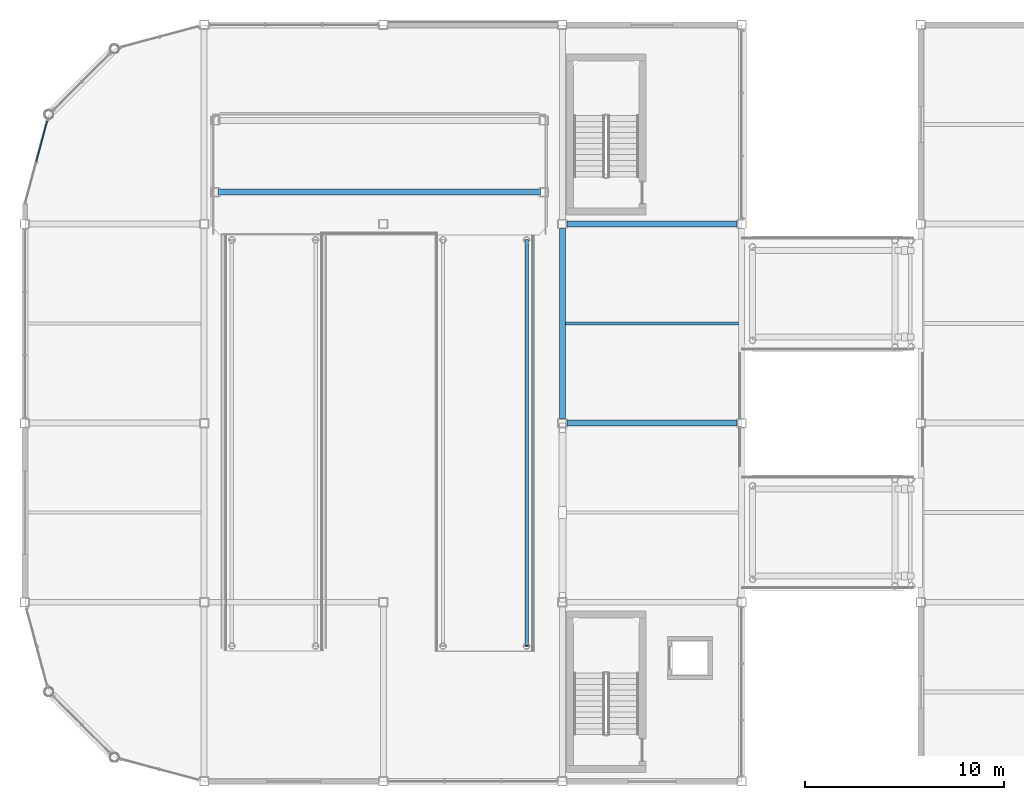
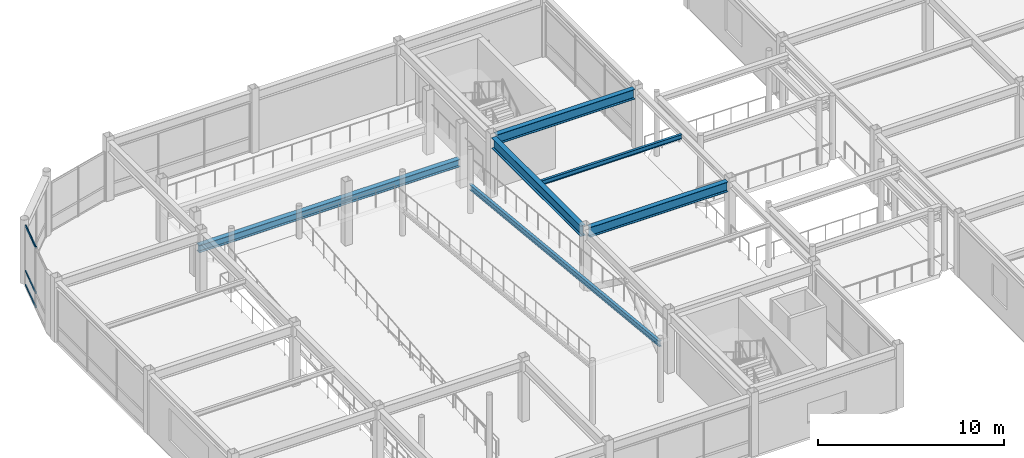
# One storey, part 35 of 105: 6 beams, 3 members, 1 element without a shape of its own.
"""IFC4 building model written with IfcOpenShell, lengths in metres."""

from ifc_helpers import new_model, si_unit, direction, frame, origin, origin_2d, place, context, subcontext, project, spatial, rectangle, i_section, extrude, material, material_profile, profile_set, type_object, element, aggregate, save


model = new_model("IFC4")

# Units and contexts
model_context = context("Model", 3, precision=1e-05, world=origin(), true_north=direction((0.0, 1.0)))
body_context = subcontext(model_context, "Body", "Model", "MODEL_VIEW")
ifc_project = project(units=[si_unit("LENGTHUNIT", "METRE"), si_unit("AREAUNIT", "SQUARE_METRE"), si_unit("VOLUMEUNIT", "CUBIC_METRE"), si_unit("PLANEANGLEUNIT", "RADIAN"), si_unit("MASSUNIT", "GRAM", prefix="KILO")], contexts=[model_context])

# Site, building, storey
site_placement = place(None, origin())
site = spatial("IfcSite", under=ifc_project, at=site_placement, CompositionType="ELEMENT")
building_placement = place(site_placement, origin())
building = spatial("IfcBuilding", under=site, at=building_placement, Name="Suzunagisa Mobility Hub", CompositionType="ELEMENT")
storey_placement = place(building_placement, frame((0.0, 0.0, 5.10009765625)))
storey = spatial("IfcBuildingStorey", under=building, at=storey_placement, Name="L01", CompositionType="ELEMENT", Elevation=5.10009765625)

# Curtain wall, members
ifc_material_1 = material(Name="Thermally Broken Anodized Aluminum and Low-E Glazing", Category="aluminium")
curtain_wall_type = type_object("IfcCurtainWallType", Name="Unitised Curtain Wall CW-48 4500x3900", PredefinedType="USERDEFINED", material=ifc_material_1)
curtain_wall_placement = place(storey_placement, origin())
curtain_wall = element("IfcCurtainWall", 1, at=curtain_wall_placement, inside=storey, type_object=curtain_wall_type, Name="L01 Unitised Curtain Wall CW-61", ObjectType="UNITISED CURTAIN WALL", PredefinedType="USERDEFINED")
ifc_material_2 = material(Name="Anodized Aluminum 6063-T6", Category="aluminium")
ifc_material_profile_1 = material_profile(ifc_material_2, rectangle(XDim=0.06005859375, YDim=0.1201171875, at=origin_2d()), Name="TRAN-60x120")
ifc_profile_set_1 = profile_set([ifc_material_profile_1], Name="Anodized Aluminum 6063-T6")
member_type = type_object("IfcMemberType", Name="Curtain Wall Framing CM-02 TRAN-60x120", PredefinedType="USERDEFINED", material=ifc_profile_set_1)
member_1_placement = place(storey_placement, frame((1.118408203125, 113.173583984375, 0.02978515625), z_axis=(-0.258832778908, -0.965922146222, 0.0), x_axis=(0.965922146222, -0.258832778908, 0.0)))
member_1 = element("IfcMember", 2, at=member_1_placement, type_object=member_type, Name="Curtain Wall Transom 61-T1.1", ObjectType="TRANSOM", PredefinedType="USERDEFINED", context=body_context, shape_type="SweptSolid", body=[
    extrude(rectangle(XDim=0.06005859375, YDim=0.1201171875, at=origin_2d()), origin(), (0.0, 0.0, 1.0), 2.103515625),
])
member_2_placement = place(storey_placement, frame((1.118408203125, 113.173583984375, 0.949951171875), z_axis=(-0.258832778908, -0.965922146222, 0.0), x_axis=(0.965922146222, -0.258832778908, 0.0)))
member_2 = element("IfcMember", 3, at=member_2_placement, type_object=member_type, Name="Curtain Wall Transom 61-T1.2", ObjectType="TRANSOM", PredefinedType="USERDEFINED", context=body_context, shape_type="SweptSolid", body=[
    extrude(rectangle(XDim=0.06005859375, YDim=0.1201171875, at=origin_2d()), origin(), (0.0, 0.0, 1.0), 2.103515625),
])
member_3_placement = place(storey_placement, frame((1.118408203125, 113.173583984375, 3.909912109375), z_axis=(-0.258832778908, -0.965922146222, 0.0), x_axis=(0.965922146222, -0.258832778908, 0.0)))
member_3 = element("IfcMember", 4, at=member_3_placement, type_object=member_type, Name="Curtain Wall Transom 61-T1.3", ObjectType="TRANSOM", PredefinedType="USERDEFINED", context=body_context, shape_type="SweptSolid", body=[
    extrude(rectangle(XDim=0.06005859375, YDim=0.1201171875, at=origin_2d()), origin(), (0.0, 0.0, 1.0), 2.103515625),
])
aggregate(curtain_wall, [member_1, member_2, member_3])

# Beams
ifc_material_3 = material(Name="Steel SN400B", Category="steel")
ifc_material_profile_2 = material_profile(ifc_material_3, i_section(OverallWidth=0.175048828125, OverallDepth=0.35009765625, WebThickness=0.007080078125, FlangeThickness=0.010986328125, FilletRadius=0.008056640625, at=origin_2d()), Name="H-350x175x7x11")
ifc_profile_set_2 = profile_set([ifc_material_profile_2], Name="Steel SN400B")
beam_type_1 = type_object("IfcBeamType", Name="Steel Beam BM-03 H-350x175x7x11", PredefinedType="JOIST", material=ifc_profile_set_2)
beam_1_placement = place(storey_placement, frame((25.199951171875, 107.199951171875, 1.69091796875), z_axis=(0.0, -0.994990866518, 0.099965871902), x_axis=(1.0, 0.0, 0.0)))
element("IfcBeam", 5, at=beam_1_placement, inside=storey, type_object=beam_type_1, Name="L01 Vehicle Ramp Stringer Beam VR-04-F2-2318", PredefinedType="JOIST", context=body_context, shape_type="SweptSolid", body=[
    extrude(i_section(OverallWidth=0.175048828125, OverallDepth=0.35009765625, WebThickness=0.007080078125, FlangeThickness=0.010986328125, FilletRadius=0.008056640625, at=origin_2d()), origin(), (0.0, 0.0, 1.0), 20.502685546875),
])
ifc_material_4 = material(Name="Steel SN490B", Category="steel")
ifc_material_profile_3 = material_profile(ifc_material_4, i_section(OverallWidth=0.300048828125, OverallDepth=0.488037109375, WebThickness=0.010986328125, FlangeThickness=0.01806640625, FilletRadius=0.012939453125, at=origin_2d()), Name="H-488x300x11x18")
ifc_profile_set_3 = profile_set([ifc_material_profile_3], Name="Steel SN490B")
beam_type_2 = type_object("IfcBeamType", Name="Steel Beam BM-06 H-488x300x11x18", PredefinedType="BEAM", material=ifc_profile_set_3)
beam_2_placement = place(storey_placement, frame((9.7099609375, 109.60009765625, 1.60595703125), z_axis=(1.0, 0.0, 0.0), x_axis=(0.0, 1.0, 0.0)))
element("IfcBeam", 6, at=beam_2_placement, inside=storey, type_object=beam_type_2, Name="L01 Ramp Turn Deck Support Girder 2319", PredefinedType="BEAM", context=body_context, shape_type="SweptSolid", body=[
    extrude(i_section(OverallWidth=0.300048828125, OverallDepth=0.488037109375, WebThickness=0.010986328125, FlangeThickness=0.01806640625, FilletRadius=0.012939453125, at=origin_2d()), origin(), (0.0, 0.0, 1.0), 16.179931640625),
])
ifc_material_profile_4 = material_profile(ifc_material_4, i_section(OverallWidth=0.300048828125, OverallDepth=0.64990234375, WebThickness=0.012939453125, FlangeThickness=0.02197265625, FilletRadius=0.01611328125, at=origin_2d()), Name="H-650x300x13x22")
ifc_profile_set_4 = profile_set([ifc_material_profile_4], Name="Steel SN490B")
beam_type_3 = type_object("IfcBeamType", Name="Steel Beam BM-10 H-650x300x13x22", PredefinedType="BEAM", material=ifc_profile_set_4)
for number, where, z_axis, x_axis, name in (
    (7, (27.220947265625, 98.0, 3.614990234375), (1.0, 0.0, 0.0), (0.0, 1.0, 0.0), "L01 Primary Girder GX-493"),
    (8, (27.220947265625, 108.0, 3.614990234375), (1.0, 0.0, 0.0), (0.0, 1.0, 0.0), "L01 Primary Girder GX-495"),
):
    element("IfcBeam", number, at=place(storey_placement, frame(where, z_axis=z_axis, x_axis=x_axis)), inside=storey, type_object=beam_type_3, Name=name, PredefinedType="BEAM", context=body_context, shape_type="SweptSolid", body=[
        extrude(i_section(OverallWidth=0.300048828125, OverallDepth=0.64990234375, WebThickness=0.012939453125, FlangeThickness=0.02197265625, FilletRadius=0.01611328125, at=origin_2d()), origin(), (0.0, 0.0, 1.0), 8.55810546875),
    ])
ifc_material_profile_5 = material_profile(ifc_material_4, i_section(OverallWidth=0.300048828125, OverallDepth=0.699951171875, WebThickness=0.012939453125, FlangeThickness=0.02392578125, FilletRadius=0.01806640625, at=origin_2d()), Name="H-700x300x13x24")
ifc_profile_set_5 = profile_set([ifc_material_profile_5], Name="Steel SN490B")
beam_type_4 = type_object("IfcBeamType", Name="Steel Beam BM-11 H-700x300x13x24", PredefinedType="BEAM", material=ifc_profile_set_5)
beam_3_placement = place(storey_placement, frame((27.0, 98.220947265625, 3.58984375), z_axis=(0.0, 1.0, 0.0), x_axis=(-1.0, 0.0, 0.0)))
element("IfcBeam", 9, at=beam_3_placement, inside=storey, type_object=beam_type_4, Name="L01 Primary Girder GY-508", PredefinedType="BEAM", context=body_context, shape_type="SweptSolid", body=[
    extrude(i_section(OverallWidth=0.300048828125, OverallDepth=0.699951171875, WebThickness=0.012939453125, FlangeThickness=0.02392578125, FilletRadius=0.01806640625, at=origin_2d()), origin(), (0.0, 0.0, 1.0), 9.55810546875),
])
ifc_material_profile_6 = material_profile(ifc_material_3, i_section(OverallWidth=0.14990234375, OverallDepth=0.300048828125, WebThickness=0.006591796875, FlangeThickness=0.009033203125, FilletRadius=0.008056640625, at=origin_2d()), Name="H-300x150x6.5x9")
ifc_profile_set_6 = profile_set([ifc_material_profile_6], Name="Steel SN400B")
beam_type_5 = type_object("IfcBeamType", Name="Steel Beam BM-24 H-300x150x6.5x9", PredefinedType="JOIST", material=ifc_profile_set_6)
beam_4_placement = place(storey_placement, frame((27.14990234375, 103.0, 3.789794921875), z_axis=(1.0, 0.0, 0.0), x_axis=(0.0, 1.0, 0.0)))
element("IfcBeam", 10, at=beam_4_placement, inside=storey, type_object=beam_type_5, Name="L01 Composite Floor Joist J-519", PredefinedType="JOIST", context=body_context, shape_type="SweptSolid", body=[
    extrude(i_section(OverallWidth=0.14990234375, OverallDepth=0.300048828125, WebThickness=0.006591796875, FlangeThickness=0.009033203125, FilletRadius=0.008056640625, at=origin_2d()), origin(), (0.0, 0.0, 1.0), 8.7001953125),
])

save(model, "model.ifc")
